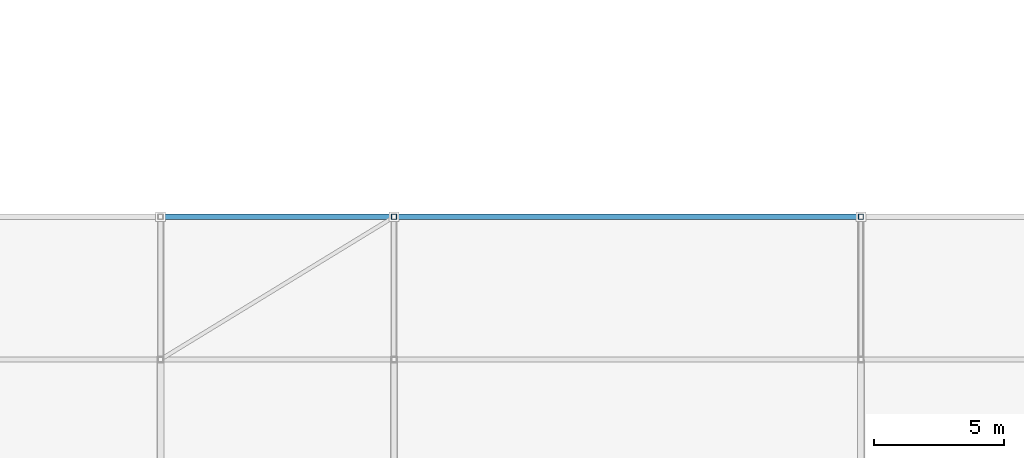
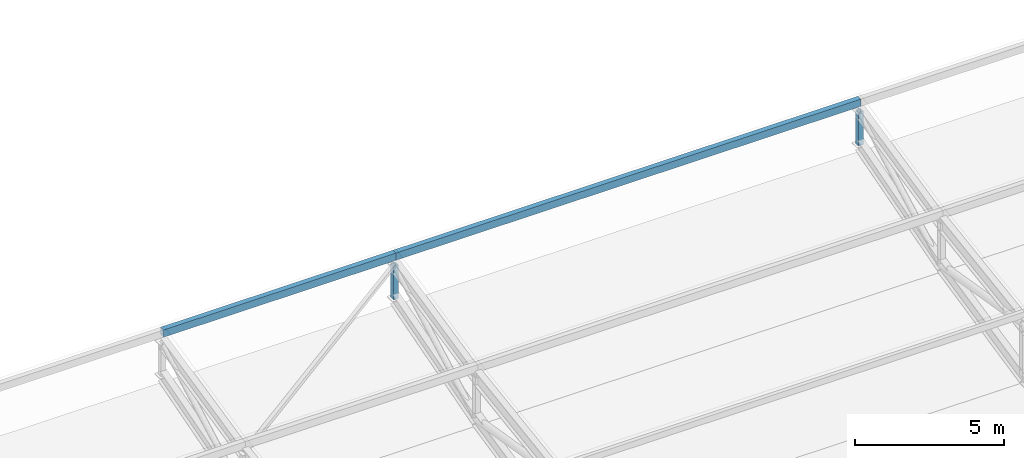
# One storey, part 23 of 114: 4 members.
"""IFC4 building model written with IfcOpenShell, lengths in metres."""

import ifcopenshell
import ifcopenshell.guid

model = None  # the IFC model being written
_history = None  # IfcOwnerHistory: only IFC2X3 demands one
_inside = {}  # id of a spatial element -> (the spatial element, [elements in it])
_under = {}  # id of a project, library or spatial element -> (it, [spatial elements below it])
_declared = {}  # id of a project -> (the project, [libraries it declares])
_typed = {}  # id of a type object -> (the type object, [elements of that type])
_made_of = {}  # id of a material, layer set ... -> (it, [elements and type objects made of it])


def new_model(schema):
    """Start an empty IFC model of exactly this schema.

    Asked for "IFC4X3", IfcOpenShell would pick the latest addendum, in which some entities
    have other attributes; the version numbers below select the first issue.
    IFC2X3 requires an IfcOwnerHistory on every rooted entity: one is made here for all.
    """
    global model, _history
    if schema == "IFC4X3":
        model = ifcopenshell.file(schema_version=(4, 3, 0, 0))
    else:
        model = ifcopenshell.file(schema=schema)
    _inside.clear()
    _under.clear()
    _declared.clear()
    _typed.clear()
    _made_of.clear()
    _history = None
    if model.schema == "IFC2X3":
        org = make("IfcOrganization", Name="unknown")
        user = make(
            "IfcPersonAndOrganization",
            ThePerson=make("IfcPerson", FamilyName="unknown"),
            TheOrganization=org,
        )
        app = make(
            "IfcApplication",
            ApplicationDeveloper=org,
            Version="unknown",
            ApplicationFullName="unknown",
            ApplicationIdentifier="unknown",
        )
        _history = make(
            "IfcOwnerHistory",
            OwningUser=user,
            OwningApplication=app,
            ChangeAction="ADDED",
            CreationDate=0,
        )
    return model


def make(cls, **values):
    """One entity of the class cls with the attributes given. An attribute that is None is left unset."""
    return model.create_entity(
        cls, **{name: value for name, value in values.items() if value is not None}
    )


def rooted(cls, **values):
    """An entity with a GlobalId (a new one), such as an element, a storey or a relation."""
    return make(cls, GlobalId=ifcopenshell.guid.new(), OwnerHistory=_history, **values)


def si_unit(unit_type, name, prefix=None):
    """IfcSIUnit, for example si_unit("LENGTHUNIT", "METRE", prefix="MILLI")."""
    return make("IfcSIUnit", UnitType=unit_type, Prefix=prefix, Name=name)


def assignment(units):
    """IfcUnitAssignment: the units of a project."""
    return None if units is None else make("IfcUnitAssignment", Units=units)


def point(xyz):
    """IfcCartesianPoint."""
    return None if xyz is None else make("IfcCartesianPoint", Coordinates=xyz)


def direction(xyz):
    """IfcDirection."""
    return None if xyz is None else make("IfcDirection", DirectionRatios=xyz)


def frame(location, z_axis=None, x_axis=None):
    """IfcAxis2Placement3D, a coordinate frame: its origin and axes. An axis left out is left unset."""
    return make(
        "IfcAxis2Placement3D",
        Location=point(location),
        Axis=direction(z_axis),
        RefDirection=direction(x_axis),
    )


def frame_2d(location, x_axis=None):
    """IfcAxis2Placement2D, a coordinate frame in the plane: its origin and x axis."""
    return make(
        "IfcAxis2Placement2D", Location=point(location), RefDirection=direction(x_axis)
    )


def origin():
    """The frame at (0, 0, 0) with its axes left unset."""
    return frame((0.0, 0.0, 0.0))


def origin_2d():
    """The frame at (0, 0) in the plane with its x axis left unset."""
    return frame_2d((0.0, 0.0))


def place(relative_to, where):
    """IfcLocalPlacement: puts the frame where relative to a parent placement (None: the world)."""
    return make(
        "IfcLocalPlacement", PlacementRelTo=relative_to, RelativePlacement=where
    )


def context(
    kind, dimensions, precision=None, world=None, true_north=None, identifier=None
):
    """IfcGeometricRepresentationContext, for example the 3D "Model" context."""
    return make(
        "IfcGeometricRepresentationContext",
        ContextIdentifier=identifier,
        ContextType=kind,
        CoordinateSpaceDimension=dimensions,
        Precision=precision,
        WorldCoordinateSystem=world,
        TrueNorth=true_north,
    )


def subcontext(parent, identifier, kind, view, scale=None):
    """IfcGeometricRepresentationSubContext, for example "Body" below "Model"."""
    return make(
        "IfcGeometricRepresentationSubContext",
        ContextIdentifier=identifier,
        ContextType=kind,
        ParentContext=parent,
        TargetScale=scale,
        TargetView=view,
    )


def project(units=None, contexts=None):
    """IfcProject with its units and contexts."""
    return rooted(
        "IfcProject",
        Name="project",
        RepresentationContexts=contexts,
        UnitsInContext=assignment(units),
    )


def spatial(cls, under=None, at=None, **own):
    """A site, building, storey or space (cls), placed at a placement, below another one or the project."""
    s = rooted(cls, ObjectPlacement=at, **own)
    if under is not None:
        _under.setdefault(under.id(), (under, []))[1].append(s)
    return s


def profile(cls, at=None, kind="AREA", **sizes):
    """A parametric profile (cls). Its sizes go by their IFC names, for example OverallWidth=200.0."""
    return make(cls, ProfileType=kind, Position=at, **sizes)


def hollow_rectangle(**sizes):
    """IfcRectangleHollowProfileDef."""
    return profile("IfcRectangleHollowProfileDef", **sizes)


def extrude(swept, where, along, depth):
    """IfcExtrudedAreaSolid: the profile swept, set in the frame where, extruded along a direction by depth."""
    return make(
        "IfcExtrudedAreaSolid",
        SweptArea=swept,
        Position=where,
        ExtrudedDirection=direction(along),
        Depth=depth,
    )


def shape(context_of_items, identifier, shape_type, items):
    """IfcShapeRepresentation: the items that make up one representation, for example the "Body"."""
    return make(
        "IfcShapeRepresentation",
        ContextOfItems=context_of_items,
        RepresentationIdentifier=identifier,
        RepresentationType=shape_type,
        Items=items,
    )


def material(Name=None, Category=None):
    """IfcMaterial."""
    return make("IfcMaterial", Name=Name, Category=Category)


def material_profile(
    of_material, cross_section, Name=None, Category=None, Priority=None
):
    """IfcMaterialProfile: a cross section and its material."""
    return make(
        "IfcMaterialProfile",
        Name=Name,
        Material=of_material,
        Profile=cross_section,
        Priority=Priority,
        Category=Category,
    )


def profile_set(profiles, Name=None, composite=None):
    """IfcMaterialProfileSet."""
    return make(
        "IfcMaterialProfileSet",
        Name=Name,
        MaterialProfiles=profiles,
        CompositeProfile=composite,
    )


def made_of(thing, what):
    """Note that an element or type object is made of a material, layer set ...; save() writes the relation."""
    if what is not None:
        _made_of.setdefault(what.id(), (what, []))[1].append(thing)
    return thing


def type_object(cls, material=None, **own):
    """A type object (cls), such as IfcWallType, which elements share."""
    return made_of(rooted(cls, **own), material)


def element(
    cls,
    number,
    at=None,
    inside=None,
    cuts=None,
    type_object=None,
    material=None,
    context=None,
    identifier="Body",
    shape_type=None,
    held_by="IfcProductDefinitionShape",
    body=None,
    shapes=None,
    **own,
):
    """One element of the class cls, such as IfcWall. Its Tag is "e" and its number.

    at: its placement. inside: the storey or other place that contains it. cuts: it is an
    opening in that element (IfcRelVoidsElement). A single representation is given by context,
    identifier, shape_type and body (its items); several are given by shapes. held_by: the class
    of the entity that holds the representations. save() writes the other relations.
    """
    e = rooted(cls, Tag="e%d" % number, ObjectPlacement=at, **own)
    if body is not None:
        shapes = [shape(context, identifier, shape_type, body)]
    if shapes is not None:
        e.Representation = make(held_by, Representations=shapes)
    if inside is not None:
        _inside.setdefault(inside.id(), (inside, []))[1].append(e)
    if cuts is not None:
        rooted(
            "IfcRelVoidsElement", RelatingBuildingElement=cuts, RelatedOpeningElement=e
        )
    if type_object is not None:
        _typed.setdefault(type_object.id(), (type_object, []))[1].append(e)
    return made_of(e, material)


def aggregate(whole, parts):
    """IfcRelAggregates: a whole, such as a stair, and the parts it consists of."""
    return rooted("IfcRelAggregates", RelatingObject=whole, RelatedObjects=parts)


def save(model, path):
    """Write the relations noted so far, then the file.

    IfcRelAggregates (storeys below a building ...), IfcRelContainedInSpatialStructure (elements
    in a storey), IfcRelDefinesByType, IfcRelAssociatesMaterial and IfcRelDeclares: one each for
    every whole, place, type object, material and project.
    """
    for whole, parts in _under.values():
        aggregate(whole, parts)
    for where, things in _inside.values():
        rooted(
            "IfcRelContainedInSpatialStructure",
            RelatedElements=things,
            RelatingStructure=where,
        )
    for kind, things in _typed.values():
        rooted("IfcRelDefinesByType", RelatedObjects=things, RelatingType=kind)
    for what, things in _made_of.values():
        rooted("IfcRelAssociatesMaterial", RelatedObjects=things, RelatingMaterial=what)
    for by, libraries in _declared.values():
        rooted("IfcRelDeclares", RelatingContext=by, RelatedDefinitions=libraries)
    model.write(path)


model = new_model("IFC4")

# Units and contexts
model_context = context("Model", 3, precision=1e-05, world=origin(), true_north=direction((0.0, 1.0)))
body_context = subcontext(model_context, "Body", "Model", "MODEL_VIEW")
ifc_project = project(units=[si_unit("LENGTHUNIT", "METRE"), si_unit("AREAUNIT", "SQUARE_METRE"), si_unit("VOLUMEUNIT", "CUBIC_METRE"), si_unit("PLANEANGLEUNIT", "RADIAN"), si_unit("MASSUNIT", "GRAM", prefix="KILO"), si_unit("THERMODYNAMICTEMPERATUREUNIT", "KELVIN"), si_unit("POWERUNIT", "WATT")], contexts=[model_context])

# Site, building, storey
site_placement = place(None, origin())
site = spatial("IfcSite", under=ifc_project, at=site_placement, CompositionType="ELEMENT")
building_placement = place(site_placement, origin())
building = spatial("IfcBuilding", under=site, at=building_placement, Name="Sindhuravela Promenade Stadium", CompositionType="ELEMENT")
storey_placement = place(building_placement, frame((0.0, 0.0, 24.0)))
storey = spatial("IfcBuildingStorey", under=building, at=storey_placement, Name="L05", CompositionType="ELEMENT", Elevation=24.0)

# Members
ifc_material = material(Name="Steel E350 (IS 2062 E350BR)", Category="steel")
ifc_material_profile_1 = material_profile(ifc_material, hollow_rectangle(XDim=0.199951171875, YDim=0.300048828125, WallThickness=0.010009765625, at=origin_2d()), Name="RHS 300x200x10")
ifc_profile_set_1 = profile_set([ifc_material_profile_1], Name="Steel E350 (IS 2062 E350BR)")
member_type_1 = type_object("IfcMemberType", Name="ST-MB-RHS300", PredefinedType="PURLIN", material=ifc_profile_set_1)
member_1_placement = place(storey_placement, frame((99.0, 43.5, 4.76708984375), z_axis=(1.0, 0.0, 0.0), x_axis=(0.0, 1.0, 0.0)))
element("IfcMember", 1, at=member_1_placement, inside=storey, type_object=member_type_1, Name="Roof purlin PR02 S bay 4.6", PredefinedType="PURLIN", context=body_context, shape_type="SweptSolid", body=[
    extrude(hollow_rectangle(XDim=0.199951171875, YDim=0.300048828125, WallThickness=0.010009765625, at=origin_2d()), origin(), (0.0, 0.0, 1.0), 9.0),
])
member_2_placement = place(storey_placement, frame((108.0, 43.5, 4.76708984375), z_axis=(1.0, 0.0, 0.0), x_axis=(0.0, 1.0, 0.0)))
element("IfcMember", 2, at=member_2_placement, inside=storey, type_object=member_type_1, Name="Roof purlin PR02 S bay 5.6", PredefinedType="PURLIN", context=body_context, shape_type="SweptSolid", body=[
    extrude(hollow_rectangle(XDim=0.199951171875, YDim=0.300048828125, WallThickness=0.010009765625, at=origin_2d()), origin(), (0.0, 0.0, 1.0), 18.0),
])
ifc_material_profile_2 = material_profile(ifc_material, hollow_rectangle(XDim=0.199951171875, YDim=0.199951171875, WallThickness=0.010009765625, at=origin_2d()), Name="SHS 200x200x10")
ifc_profile_set_2 = profile_set([ifc_material_profile_2], Name="Steel E350 (IS 2062 E350BR)")
member_type_2 = type_object("IfcMemberType", Name="ST-MB-SHS200", PredefinedType="POST", material=ifc_profile_set_2)
for number, where, z_axis, x_axis, name in (
    (3, (108.0, 43.5, 3.02490234375), (0.0, 0.0, 1.0), (1.0, 0.0, 0.0), "Roof truss RT-S05 vertical post 6"),
    (4, (126.0, 43.5, 3.02490234375), (0.0, 0.0, 1.0), (1.0, 0.0, 0.0), "Roof truss RT-S06 vertical post 6"),
):
    element("IfcMember", number, at=place(storey_placement, frame(where, z_axis=z_axis, x_axis=x_axis)), inside=storey, type_object=member_type_2, Name=name, PredefinedType="POST", context=body_context, shape_type="SweptSolid", body=[
        extrude(hollow_rectangle(XDim=0.199951171875, YDim=0.199951171875, WallThickness=0.010009765625, at=origin_2d()), origin(), (0.0, 0.0, 1.0), 1.375),
    ])

save(model, "model.ifc")
